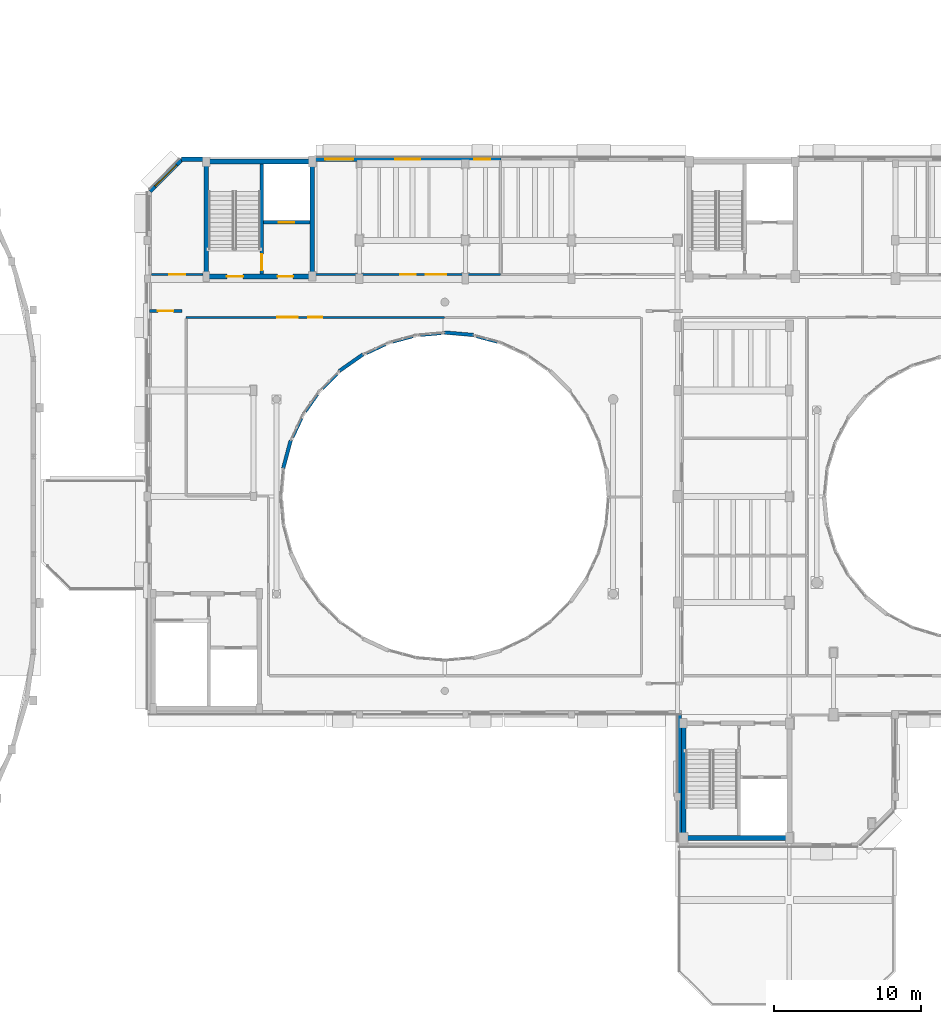
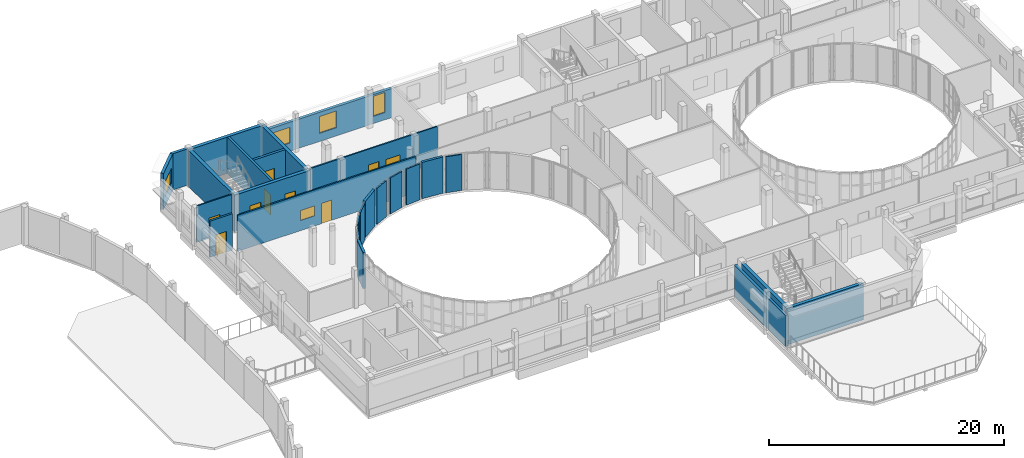
# One storey, part 67 of 89: 26 walls, 8 doors, 6 windows, 14 openings.
"""IFC4 building model written with IfcOpenShell, lengths in metres."""

import ifcopenshell
import ifcopenshell.guid

model = None  # the IFC model being written
_history = None  # IfcOwnerHistory: only IFC2X3 demands one
_inside = {}  # id of a spatial element -> (the spatial element, [elements in it])
_under = {}  # id of a project, library or spatial element -> (it, [spatial elements below it])
_declared = {}  # id of a project -> (the project, [libraries it declares])
_typed = {}  # id of a type object -> (the type object, [elements of that type])
_made_of = {}  # id of a material, layer set ... -> (it, [elements and type objects made of it])


def new_model(schema):
    """Start an empty IFC model of exactly this schema.

    Asked for "IFC4X3", IfcOpenShell would pick the latest addendum, in which some entities
    have other attributes; the version numbers below select the first issue.
    IFC2X3 requires an IfcOwnerHistory on every rooted entity: one is made here for all.
    """
    global model, _history
    if schema == "IFC4X3":
        model = ifcopenshell.file(schema_version=(4, 3, 0, 0))
    else:
        model = ifcopenshell.file(schema=schema)
    _inside.clear()
    _under.clear()
    _declared.clear()
    _typed.clear()
    _made_of.clear()
    _history = None
    if model.schema == "IFC2X3":
        org = make("IfcOrganization", Name="unknown")
        user = make(
            "IfcPersonAndOrganization",
            ThePerson=make("IfcPerson", FamilyName="unknown"),
            TheOrganization=org,
        )
        app = make(
            "IfcApplication",
            ApplicationDeveloper=org,
            Version="unknown",
            ApplicationFullName="unknown",
            ApplicationIdentifier="unknown",
        )
        _history = make(
            "IfcOwnerHistory",
            OwningUser=user,
            OwningApplication=app,
            ChangeAction="ADDED",
            CreationDate=0,
        )
    return model


def make(cls, **values):
    """One entity of the class cls with the attributes given. An attribute that is None is left unset."""
    return model.create_entity(
        cls, **{name: value for name, value in values.items() if value is not None}
    )


def rooted(cls, **values):
    """An entity with a GlobalId (a new one), such as an element, a storey or a relation."""
    return make(cls, GlobalId=ifcopenshell.guid.new(), OwnerHistory=_history, **values)


def si_unit(unit_type, name, prefix=None):
    """IfcSIUnit, for example si_unit("LENGTHUNIT", "METRE", prefix="MILLI")."""
    return make("IfcSIUnit", UnitType=unit_type, Prefix=prefix, Name=name)


def assignment(units):
    """IfcUnitAssignment: the units of a project."""
    return None if units is None else make("IfcUnitAssignment", Units=units)


def point(xyz):
    """IfcCartesianPoint."""
    return None if xyz is None else make("IfcCartesianPoint", Coordinates=xyz)


def direction(xyz):
    """IfcDirection."""
    return None if xyz is None else make("IfcDirection", DirectionRatios=xyz)


def frame(location, z_axis=None, x_axis=None):
    """IfcAxis2Placement3D, a coordinate frame: its origin and axes. An axis left out is left unset."""
    return make(
        "IfcAxis2Placement3D",
        Location=point(location),
        Axis=direction(z_axis),
        RefDirection=direction(x_axis),
    )


def frame_2d(location, x_axis=None):
    """IfcAxis2Placement2D, a coordinate frame in the plane: its origin and x axis."""
    return make(
        "IfcAxis2Placement2D", Location=point(location), RefDirection=direction(x_axis)
    )


def origin():
    """The frame at (0, 0, 0) with its axes left unset."""
    return frame((0.0, 0.0, 0.0))


def place(relative_to, where):
    """IfcLocalPlacement: puts the frame where relative to a parent placement (None: the world)."""
    return make(
        "IfcLocalPlacement", PlacementRelTo=relative_to, RelativePlacement=where
    )


def context(
    kind, dimensions, precision=None, world=None, true_north=None, identifier=None
):
    """IfcGeometricRepresentationContext, for example the 3D "Model" context."""
    return make(
        "IfcGeometricRepresentationContext",
        ContextIdentifier=identifier,
        ContextType=kind,
        CoordinateSpaceDimension=dimensions,
        Precision=precision,
        WorldCoordinateSystem=world,
        TrueNorth=true_north,
    )


def subcontext(parent, identifier, kind, view, scale=None):
    """IfcGeometricRepresentationSubContext, for example "Body" below "Model"."""
    return make(
        "IfcGeometricRepresentationSubContext",
        ContextIdentifier=identifier,
        ContextType=kind,
        ParentContext=parent,
        TargetScale=scale,
        TargetView=view,
    )


def project(units=None, contexts=None):
    """IfcProject with its units and contexts."""
    return rooted(
        "IfcProject",
        Name="project",
        RepresentationContexts=contexts,
        UnitsInContext=assignment(units),
    )


def spatial(cls, under=None, at=None, **own):
    """A site, building, storey or space (cls), placed at a placement, below another one or the project."""
    s = rooted(cls, ObjectPlacement=at, **own)
    if under is not None:
        _under.setdefault(under.id(), (under, []))[1].append(s)
    return s


def profile(cls, at=None, kind="AREA", **sizes):
    """A parametric profile (cls). Its sizes go by their IFC names, for example OverallWidth=200.0."""
    return make(cls, ProfileType=kind, Position=at, **sizes)


def rectangle(**sizes):
    """IfcRectangleProfileDef."""
    return profile("IfcRectangleProfileDef", **sizes)


def extrude(swept, where, along, depth):
    """IfcExtrudedAreaSolid: the profile swept, set in the frame where, extruded along a direction by depth."""
    return make(
        "IfcExtrudedAreaSolid",
        SweptArea=swept,
        Position=where,
        ExtrudedDirection=direction(along),
        Depth=depth,
    )


def shape(context_of_items, identifier, shape_type, items):
    """IfcShapeRepresentation: the items that make up one representation, for example the "Body"."""
    return make(
        "IfcShapeRepresentation",
        ContextOfItems=context_of_items,
        RepresentationIdentifier=identifier,
        RepresentationType=shape_type,
        Items=items,
    )


def material(Name=None, Category=None):
    """IfcMaterial."""
    return make("IfcMaterial", Name=Name, Category=Category)


def layer(
    of_material, thickness, ventilated=None, Name=None, Category=None, Priority=None
):
    """IfcMaterialLayer: one layer of a wall or slab, of a material (None: an air gap)."""
    return make(
        "IfcMaterialLayer",
        Material=of_material,
        LayerThickness=thickness,
        IsVentilated=ventilated,
        Name=Name,
        Category=Category,
        Priority=Priority,
    )


def layer_set(layers, Name=None):
    """IfcMaterialLayerSet."""
    return make("IfcMaterialLayerSet", MaterialLayers=layers, LayerSetName=Name)


def made_of(thing, what):
    """Note that an element or type object is made of a material, layer set ...; save() writes the relation."""
    if what is not None:
        _made_of.setdefault(what.id(), (what, []))[1].append(thing)
    return thing


def type_object(cls, material=None, **own):
    """A type object (cls), such as IfcWallType, which elements share."""
    return made_of(rooted(cls, **own), material)


def element(
    cls,
    number,
    at=None,
    inside=None,
    cuts=None,
    type_object=None,
    material=None,
    context=None,
    identifier="Body",
    shape_type=None,
    held_by="IfcProductDefinitionShape",
    body=None,
    shapes=None,
    **own,
):
    """One element of the class cls, such as IfcWall. Its Tag is "e" and its number.

    at: its placement. inside: the storey or other place that contains it. cuts: it is an
    opening in that element (IfcRelVoidsElement). A single representation is given by context,
    identifier, shape_type and body (its items); several are given by shapes. held_by: the class
    of the entity that holds the representations. save() writes the other relations.
    """
    e = rooted(cls, Tag="e%d" % number, ObjectPlacement=at, **own)
    if body is not None:
        shapes = [shape(context, identifier, shape_type, body)]
    if shapes is not None:
        e.Representation = make(held_by, Representations=shapes)
    if inside is not None:
        _inside.setdefault(inside.id(), (inside, []))[1].append(e)
    if cuts is not None:
        rooted(
            "IfcRelVoidsElement", RelatingBuildingElement=cuts, RelatedOpeningElement=e
        )
    if type_object is not None:
        _typed.setdefault(type_object.id(), (type_object, []))[1].append(e)
    return made_of(e, material)


def fill(opening, filler):
    """IfcRelFillsElement: the door or window that sits in an opening."""
    return rooted(
        "IfcRelFillsElement",
        RelatingOpeningElement=opening,
        RelatedBuildingElement=filler,
    )


def aggregate(whole, parts):
    """IfcRelAggregates: a whole, such as a stair, and the parts it consists of."""
    return rooted("IfcRelAggregates", RelatingObject=whole, RelatedObjects=parts)


def save(model, path):
    """Write the relations noted so far, then the file.

    IfcRelAggregates (storeys below a building ...), IfcRelContainedInSpatialStructure (elements
    in a storey), IfcRelDefinesByType, IfcRelAssociatesMaterial and IfcRelDeclares: one each for
    every whole, place, type object, material and project.
    """
    for whole, parts in _under.values():
        aggregate(whole, parts)
    for where, things in _inside.values():
        rooted(
            "IfcRelContainedInSpatialStructure",
            RelatedElements=things,
            RelatingStructure=where,
        )
    for kind, things in _typed.values():
        rooted("IfcRelDefinesByType", RelatedObjects=things, RelatingType=kind)
    for what, things in _made_of.values():
        rooted("IfcRelAssociatesMaterial", RelatedObjects=things, RelatingMaterial=what)
    for by, libraries in _declared.values():
        rooted("IfcRelDeclares", RelatingContext=by, RelatedDefinitions=libraries)
    model.write(path)


model = new_model("IFC4")

# Units and contexts
model_context = context("Model", 3, precision=1e-05, world=origin(), true_north=direction((0.0, 1.0)))
body_context = subcontext(model_context, "Body", "Model", "MODEL_VIEW")
ifc_project = project(units=[si_unit("LENGTHUNIT", "METRE"), si_unit("AREAUNIT", "SQUARE_METRE"), si_unit("VOLUMEUNIT", "CUBIC_METRE"), si_unit("PLANEANGLEUNIT", "RADIAN"), si_unit("MASSUNIT", "GRAM", prefix="KILO")], contexts=[model_context])

# Site, building, storey
site_placement = place(None, origin())
site = spatial("IfcSite", under=ifc_project, at=site_placement, CompositionType="ELEMENT")
building_placement = place(site_placement, origin())
building = spatial("IfcBuilding", under=site, at=building_placement, Name="Kelanivale Promenade Academy", CompositionType="ELEMENT")
storey_placement = place(building_placement, frame((0.0, 0.0, 12.199951171875)))
storey = spatial("IfcBuildingStorey", under=building, at=storey_placement, Name="L03", CompositionType="ELEMENT", Elevation=12.199951171875)

# Walls
ifc_material_1 = material(Name="Concrete C40/50", Category="concrete")
ifc_layer_1 = layer(ifc_material_1, 0.330078125)
ifc_layer_set_1 = layer_set([ifc_layer_1], Name="Concrete C40/50")
wall_type_1 = type_object("IfcWallType", Name="CW-S1 Wall 330mm", PredefinedType="SHEAR", material=ifc_layer_set_1)
wall_1_placement = place(storey_placement, frame((79.43505859375, 33.60009765625, 0.0), z_axis=(0.0, 0.0, 1.0), x_axis=(1.0, 0.0, 0.0)))
element("IfcWall", 1, at=wall_1_placement, inside=storey, type_object=wall_type_1, Name="CORE-1 RC shear wall S L03", PredefinedType="SHEAR", context=body_context, shape_type="SweptSolid", body=[
    extrude(rectangle(XDim=7.530029296875, YDim=0.330078125, at=frame_2d((3.76513671875, 0.0))), origin(), (0.0, 0.0, 1.0), 3.780029296875),
])
wall_2_placement = place(storey_placement, frame((79.60009765625, 33.764892578125, 0.0), z_axis=(0.0, 0.0, 1.0), x_axis=(0.0, 1.0, 0.0)))
element("IfcWall", 2, at=wall_2_placement, inside=storey, type_object=wall_type_1, Name="CORE-1 RC shear wall W L03", PredefinedType="SHEAR", context=body_context, shape_type="SweptSolid", body=[
    extrude(rectangle(XDim=7.47021484375, YDim=0.330078125, at=frame_2d((3.735107421875, 0.0))), origin(), (0.0, 0.0, 1.0), 3.780029296875),
])

# Wall, openings, doors
wall_3_placement = place(storey_placement, frame((47.034912109375, 71.75, 0.0), z_axis=(0.0, 0.0, 1.0), x_axis=(1.0, 0.0, 0.0)))
wall_3 = element("IfcWall", 3, at=wall_3_placement, inside=storey, type_object=wall_type_1, Name="CORE-4 RC shear wall S L03", PredefinedType="SHEAR", context=body_context, shape_type="SweptSolid", body=[
    extrude(rectangle(XDim=7.530029296875, YDim=0.330078125, at=frame_2d((3.76513671875, 0.0))), origin(), (0.0, 0.0, 1.0), 3.780029296875),
])
opening_1_placement = place(wall_3_placement, frame((5.014892578125, 0.0, 0.0)))
opening_1 = element("IfcOpeningElement", 4, at=opening_1_placement, cuts=wall_3, Name="Opening FD-CORE-4-LB-L03", PredefinedType="OPENING", context=body_context, shape_type="SweptSolid", body=[
    extrude(rectangle(XDim=1.050048828125, YDim=2.14990234375, at=frame_2d((0.52490234375, 1.074951171875))), frame((0.0, 0.175048828125, 0.0), z_axis=(0.0, -1.0, 0.0), x_axis=(1.0, 0.0, 0.0)), (0.0, 0.0, 1.0), 0.35009765625),
])
opening_2_placement = place(wall_3_placement, frame((1.56494140625, 0.0, 0.0)))
opening_2 = element("IfcOpeningElement", 5, at=opening_2_placement, cuts=wall_3, Name="Opening FD-CORE-4-ST-L03", PredefinedType="OPENING", context=body_context, shape_type="SweptSolid", body=[
    extrude(rectangle(XDim=1.10009765625, YDim=2.14990234375, at=frame_2d((0.550048828125, 1.074951171875))), frame((0.0, 0.175048828125, 0.0), z_axis=(0.0, -1.0, 0.0), x_axis=(1.0, 0.0, 0.0)), (0.0, 0.0, 1.0), 0.35009765625),
])
ifc_material_2 = material(Name="Fire-rated steel-core teak veneer", Category="steel")
door_type_1 = type_object("IfcDoorType", Name="DT-F01 Door 1100x2150", OperationType="NOTDEFINED", PredefinedType="DOOR", material=ifc_material_2)
door_1_placement = place(opening_2_placement, frame((1.10009765625, 0.0, 0.0), z_axis=(0.0, 0.0, 1.0), x_axis=(-1.0, 0.0, 0.0)))
door_1 = element("IfcDoor", 6, at=door_1_placement, inside=storey, type_object=door_type_1, Name="CORE-4 protected stair fire door L03", OperationType="SINGLE_SWING_RIGHT", OverallHeight=2.14990234375, OverallWidth=1.10009765625, PredefinedType="DOOR", context=body_context, shape_type="SweptSolid", body=[
    extrude(rectangle(XDim=1.10009765625, YDim=2.14990234375, at=frame_2d((0.550048828125, 1.074951171875))), frame((0.0, 0.02490234375, 0.0), z_axis=(0.0, -1.0, 0.0), x_axis=(1.0, 0.0, 0.0)), (0.0, 0.0, 1.0), 0.050048828125),
])
fill(opening_2, door_1)
door_type_2 = type_object("IfcDoorType", Name="DT-F03 Door 1050x2150", OperationType="NOTDEFINED", PredefinedType="DOOR", material=ifc_material_2)
door_2_placement = place(opening_1_placement, origin())
door_2 = element("IfcDoor", 7, at=door_2_placement, inside=storey, type_object=door_type_2, Name="CORE-4 corridor-to-lobby fire door L03", OperationType="SINGLE_SWING_LEFT", OverallHeight=2.14990234375, OverallWidth=1.050048828125, PredefinedType="DOOR", context=body_context, shape_type="SweptSolid", body=[
    extrude(rectangle(XDim=1.050048828125, YDim=2.14990234375, at=frame_2d((0.52490234375, 1.074951171875))), frame((0.0, 0.02490234375, 0.0), z_axis=(0.0, -1.0, 0.0), x_axis=(1.0, 0.0, 0.0)), (0.0, 0.0, 1.0), 0.050048828125),
])
fill(opening_1, door_2)

# Walls
wall_4_placement = place(storey_placement, frame((47.034912109375, 79.550048828125, 0.0), z_axis=(0.0, 0.0, 1.0), x_axis=(1.0, 0.0, 0.0)))
element("IfcWall", 8, at=wall_4_placement, inside=storey, type_object=wall_type_1, Name="CORE-4 RC shear wall N L03", PredefinedType="SHEAR", context=body_context, shape_type="SweptSolid", body=[
    extrude(rectangle(XDim=7.530029296875, YDim=0.330078125, at=frame_2d((3.76513671875, 0.0))), origin(), (0.0, 0.0, 1.0), 3.780029296875),
])
for number, where, z_axis, x_axis, name in (
    (9, (47.199951171875, 71.9150390625, 0.0), (0.0, 0.0, 1.0), (0.0, 1.0, 0.0), "CORE-4 RC shear wall W L03"),
    (10, (54.39990234375, 71.9150390625, 0.0), (0.0, 0.0, 1.0), (0.0, 1.0, 0.0), "CORE-4 RC shear wall E L03"),
):
    element("IfcWall", number, at=place(storey_placement, frame(where, z_axis=z_axis, x_axis=x_axis)), inside=storey, type_object=wall_type_1, Name=name, PredefinedType="SHEAR", context=body_context, shape_type="SweptSolid", body=[
        extrude(rectangle(XDim=7.469970703125, YDim=0.330078125, at=frame_2d((3.73486328125, 0.0))), origin(), (0.0, 0.0, 1.0), 3.780029296875),
    ])

# Wall, opening, door
ifc_layer_2 = layer(ifc_material_1, 0.22509765625)
ifc_layer_set_2 = layer_set([ifc_layer_2], Name="Concrete C40/50")
wall_type_2 = type_object("IfcWallType", Name="CW-S2 Wall 225mm", PredefinedType="SHEAR", material=ifc_layer_set_2)
wall_5_placement = place(storey_placement, frame((51.0849609375, 75.419921875, 0.0), z_axis=(0.0, 0.0, 1.0), x_axis=(1.0, 0.0, 0.0)))
wall_5 = element("IfcWall", 11, at=wall_5_placement, inside=storey, type_object=wall_type_2, Name="CORE-4 lift shaft front RC wall L03", PredefinedType="SHEAR", context=body_context, shape_type="SweptSolid", body=[
    extrude(rectangle(XDim=3.150146484375, YDim=0.22509765625, at=frame_2d((1.5751953125, 0.0))), origin(), (0.0, 0.0, 1.0), 3.780029296875),
])
opening_3_placement = place(wall_5_placement, frame((1.050048828125, 0.0, 0.0)))
opening_3 = element("IfcOpeningElement", 12, at=opening_3_placement, cuts=wall_5, Name="Opening LD-LF-P2-L03", PredefinedType="OPENING", context=body_context, shape_type="SweptSolid", body=[
    extrude(rectangle(XDim=1.050048828125, YDim=2.199951171875, at=frame_2d((0.52490234375, 1.10009765625))), frame((0.0, 0.12255859375, 0.0), z_axis=(0.0, -1.0, 0.0), x_axis=(1.0, 0.0, 0.0)), (0.0, 0.0, 1.0), 0.2451171875),
])
door_type_3 = type_object("IfcDoorType", Name="LD-PL1 Door 1050x2200", OperationType="NOTDEFINED", PredefinedType="DOOR", material=ifc_material_2)
door_3_placement = place(opening_3_placement, origin())
door_3 = element("IfcDoor", 13, at=door_3_placement, inside=storey, type_object=door_type_3, Name="Passenger lift landing door LD-LF-P2-L03", OperationType="SLIDING_TO_LEFT", OverallHeight=2.199951171875, OverallWidth=1.050048828125, PredefinedType="DOOR", context=body_context, shape_type="SweptSolid", body=[
    extrude(rectangle(XDim=1.050048828125, YDim=2.199951171875, at=frame_2d((0.52490234375, 1.10009765625))), frame((0.0, 0.02490234375, 0.0), z_axis=(0.0, -1.0, 0.0), x_axis=(1.0, 0.0, 0.0)), (0.0, 0.0, 1.0), 0.050048828125),
])
fill(opening_3, door_3)

ifc_layer_3 = layer(ifc_material_1, 0.219970703125)
ifc_layer_set_3 = layer_set([ifc_layer_3], Name="Concrete C40/50")
wall_type_3 = type_object("IfcWallType", Name="CW-S3 Wall 220mm", PredefinedType="SHEAR", material=ifc_layer_set_3)
wall_6_placement = place(storey_placement, frame((50.97509765625, 71.9150390625, 0.0), z_axis=(0.0, 0.0, 1.0), x_axis=(0.0, 1.0, 0.0)))
wall_6 = element("IfcWall", 14, at=wall_6_placement, inside=storey, type_object=wall_type_3, Name="CORE-4 stair-lobby dividing RC wall L03", PredefinedType="SHEAR", context=body_context, shape_type="SweptSolid", body=[
    extrude(rectangle(XDim=7.469970703125, YDim=0.219970703125, at=frame_2d((3.73486328125, 0.0))), origin(), (0.0, 0.0, 1.0), 3.780029296875),
])
opening_4_placement = place(wall_6_placement, frame((0.25, 0.0, 0.0)))
opening_4 = element("IfcOpeningElement", 15, at=opening_4_placement, cuts=wall_6, Name="Opening FD-CORE-4-SL-L03", PredefinedType="OPENING", context=body_context, shape_type="SweptSolid", body=[
    extrude(rectangle(XDim=1.10009765625, YDim=2.14990234375, at=frame_2d((0.550048828125, 1.074951171875))), frame((0.0, 0.1201171875, 0.0), z_axis=(0.0, -1.0, 0.0), x_axis=(1.0, 0.0, 0.0)), (0.0, 0.0, 1.0), 0.239990234375),
])
door_4_placement = place(opening_4_placement, origin())
door_4 = element("IfcDoor", 16, at=door_4_placement, inside=storey, type_object=door_type_1, Name="CORE-4 lobby-to-stair fire door L03", OperationType="SINGLE_SWING_RIGHT", OverallHeight=2.14990234375, OverallWidth=1.10009765625, PredefinedType="DOOR", context=body_context, shape_type="SweptSolid", body=[
    extrude(rectangle(XDim=1.10009765625, YDim=2.14990234375, at=frame_2d((0.550048828125, 1.074951171875))), frame((0.0, 0.02490234375, 0.0), z_axis=(0.0, -1.0, 0.0), x_axis=(1.0, 0.0, 0.0)), (0.0, 0.0, 1.0), 0.050048828125),
])
fill(opening_4, door_4)

# Wall, openings, windows
ifc_material_3 = material(Name="Insulated ivory stucco masonry wall 280 mm", Category="masonry")
ifc_layer_4 = layer(ifc_material_3, 0.280029296875)
ifc_layer_set_4 = layer_set([ifc_layer_4], Name="Insulated ivory stucco masonry wall 280 mm")
wall_type_4 = type_object("IfcWallType", Name="EW-02 Wall 280mm", PredefinedType="SOLIDWALL", material=ifc_layer_set_4)
wall_7_placement = place(storey_placement, frame((67.199951171875, 79.7099609375, 0.0), z_axis=(0.0, 0.0, 1.0), x_axis=(-1.0, 0.0, 0.0)))
wall_7 = element("IfcWall", 17, at=wall_7_placement, inside=storey, type_object=wall_type_4, Name="L03 exterior facade wall EW-L03-ORT-0489", PredefinedType="SOLIDWALL", context=body_context, shape_type="SweptSolid", body=[
    extrude(rectangle(XDim=12.635009765625, YDim=0.280029296875, at=frame_2d((6.3173828125, 0.0))), origin(), (0.0, 0.0, 1.0), 3.025146484375),
])
opening_5_placement = place(wall_7_placement, frame((0.7060546875, 0.0, 0.75)))
opening_5 = element("IfcOpeningElement", 18, at=opening_5_placement, cuts=wall_7, Name="Opening WT-17", PredefinedType="OPENING", context=body_context, shape_type="SweptSolid", body=[
    extrude(rectangle(XDim=1.10009765625, YDim=2.10009765625, at=frame_2d((0.550048828125, 1.050048828125))), frame((0.0, 0.14990234375, 0.0), z_axis=(0.0, -1.0, 0.0), x_axis=(1.0, 0.0, 0.0)), (0.0, 0.0, 1.0), 0.300048828125),
])
opening_6_placement = place(wall_7_placement, frame((5.468017578125, 0.0, 0.85009765625)))
opening_6 = element("IfcOpeningElement", 19, at=opening_6_placement, cuts=wall_7, Name="Opening WT-25", PredefinedType="OPENING", context=body_context, shape_type="SweptSolid", body=[
    extrude(rectangle(XDim=1.699951171875, YDim=1.75, at=frame_2d((0.85009765625, 0.875))), frame((0.0, 0.14990234375, 0.0), z_axis=(0.0, -1.0, 0.0), x_axis=(1.0, 0.0, 0.0)), (0.0, 0.0, 1.0), 0.300048828125),
])
opening_7_placement = place(wall_7_placement, frame((10.029052734375, 0.0, 0.85009765625)))
opening_7 = element("IfcOpeningElement", 20, at=opening_7_placement, cuts=wall_7, Name="Opening WT-26", PredefinedType="OPENING", context=body_context, shape_type="SweptSolid", body=[
    extrude(rectangle(XDim=1.89990234375, YDim=1.64990234375, at=frame_2d((0.949951171875, 0.824951171875))), frame((0.0, 0.14990234375, 0.0), z_axis=(0.0, -1.0, 0.0), x_axis=(1.0, 0.0, 0.0)), (0.0, 0.0, 1.0), 0.300048828125),
])
ifc_material_4 = material(Name="Bronze anodised aluminium frame with low-E laminated glass", Category="aluminium")
window_type_1 = type_object("IfcWindowType", Name="WT-17 Window 1100x2100", PartitioningType="SINGLE_PANEL", PredefinedType="WINDOW", material=ifc_material_4)
window_1_placement = place(opening_5_placement, origin())
window_1 = element("IfcWindow", 21, at=window_1_placement, inside=storey, type_object=window_type_1, Name="Window WT-17", OverallHeight=2.10009765625, OverallWidth=1.10009765625, PartitioningType="SINGLE_PANEL", PredefinedType="WINDOW", context=body_context, shape_type="SweptSolid", body=[
    extrude(rectangle(XDim=1.10009765625, YDim=2.10009765625, at=frame_2d((0.550048828125, 1.050048828125))), frame((0.0, 0.030029296875, 0.0), z_axis=(0.0, -1.0, 0.0), x_axis=(1.0, 0.0, 0.0)), (0.0, 0.0, 1.0), 0.06005859375),
])
fill(opening_5, window_1)
window_type_2 = type_object("IfcWindowType", Name="WT-25 Window 1700x1750", PartitioningType="SINGLE_PANEL", PredefinedType="WINDOW", material=ifc_material_4)
window_2_placement = place(opening_6_placement, origin())
window_2 = element("IfcWindow", 22, at=window_2_placement, inside=storey, type_object=window_type_2, Name="Window WT-25", OverallHeight=1.75, OverallWidth=1.699951171875, PartitioningType="SINGLE_PANEL", PredefinedType="WINDOW", context=body_context, shape_type="SweptSolid", body=[
    extrude(rectangle(XDim=1.699951171875, YDim=1.75, at=frame_2d((0.85009765625, 0.875))), frame((0.0, 0.030029296875, 0.0), z_axis=(0.0, -1.0, 0.0), x_axis=(1.0, 0.0, 0.0)), (0.0, 0.0, 1.0), 0.06005859375),
])
fill(opening_6, window_2)
window_type_3 = type_object("IfcWindowType", Name="WT-26 Window 1900x1650", PartitioningType="SINGLE_PANEL", PredefinedType="WINDOW", material=ifc_material_4)
window_3_placement = place(opening_7_placement, origin())
window_3 = element("IfcWindow", 23, at=window_3_placement, inside=storey, type_object=window_type_3, Name="Window WT-26", OverallHeight=1.64990234375, OverallWidth=1.89990234375, PartitioningType="SINGLE_PANEL", PredefinedType="WINDOW", context=body_context, shape_type="SweptSolid", body=[
    extrude(rectangle(XDim=1.89990234375, YDim=1.64990234375, at=frame_2d((0.949951171875, 0.824951171875))), frame((0.0, 0.030029296875, 0.0), z_axis=(0.0, -1.0, 0.0), x_axis=(1.0, 0.0, 0.0)), (0.0, 0.0, 1.0), 0.06005859375),
])
fill(opening_7, window_3)

# Wall
wall_8_placement = place(storey_placement, frame((47.034912109375, 79.7099609375, 0.0), z_axis=(0.0, 0.0, 1.0), x_axis=(-1.0, 0.0, 0.0)))
element("IfcWall", 24, at=wall_8_placement, inside=storey, type_object=wall_type_4, Name="L03 exterior facade wall EW-L03-ORT-0490", PredefinedType="SOLIDWALL", context=body_context, shape_type="SweptSolid", body=[
    extrude(rectangle(XDim=1.52294921875, YDim=0.280029296875, at=frame_2d((0.761474609375, 0.0))), origin(), (0.0, 0.0, 1.0), 3.780029296875),
])

# Wall, opening, window
wall_9_placement = place(storey_placement, frame((45.52392578125, 79.666015625, 0.0), z_axis=(0.0, 0.0, 1.0), x_axis=(-0.707066445384, -0.707147114688, 0.0)))
wall_9 = element("IfcWall", 25, at=wall_9_placement, inside=storey, type_object=wall_type_4, Name="L03 exterior facade wall EW-L03-ORT-0491", PredefinedType="SOLIDWALL", context=body_context, shape_type="SweptSolid", body=[
    extrude(rectangle(XDim=3.0263671875, YDim=0.280029296875, at=frame_2d((1.51318359375, 0.0))), origin(), (0.0, 0.0, 1.0), 3.780029296875),
])
opening_8_placement = place(wall_9_placement, frame((0.488037109375, 0.0, 1.050048828125)))
opening_8 = element("IfcOpeningElement", 26, at=opening_8_placement, cuts=wall_9, Name="Opening WT-27", PredefinedType="OPENING", context=body_context, shape_type="SweptSolid", body=[
    extrude(rectangle(XDim=2.050048828125, YDim=1.550048828125, at=frame_2d((1.02490234375, 0.77490234375))), frame((0.0, 0.14990234375, 0.0), z_axis=(0.0, -1.0, 0.0), x_axis=(1.0, 0.0, 0.0)), (0.0, 0.0, 1.0), 0.300048828125),
])
window_type_4 = type_object("IfcWindowType", Name="WT-27 Window 2050x1550", PartitioningType="SINGLE_PANEL", PredefinedType="WINDOW", material=ifc_material_4)
window_4_placement = place(opening_8_placement, origin())
window_4 = element("IfcWindow", 27, at=window_4_placement, inside=storey, type_object=window_type_4, Name="Window WT-27", OverallHeight=1.550048828125, OverallWidth=2.050048828125, PartitioningType="SINGLE_PANEL", PredefinedType="WINDOW", context=body_context, shape_type="SweptSolid", body=[
    extrude(rectangle(XDim=2.050048828125, YDim=1.550048828125, at=frame_2d((1.02490234375, 0.77490234375))), frame((0.0, 0.030029296875, 0.0), z_axis=(0.0, -1.0, 0.0), x_axis=(1.0, 0.0, 0.0)), (0.0, 0.0, 1.0), 0.06005859375),
])
fill(opening_8, window_4)

# Walls
wall_10_placement = place(storey_placement, frame((79.340087890625, 42.0, 0.0), z_axis=(0.0, 0.0, 1.0), x_axis=(0.0, -1.0, 0.0)))
element("IfcWall", 28, at=wall_10_placement, inside=storey, type_object=wall_type_4, Name="L03 exterior facade wall EW-L03-ORT-0497", PredefinedType="SOLIDWALL", context=body_context, shape_type="SweptSolid", body=[
    extrude(rectangle(XDim=8.719970703125, YDim=0.280029296875, at=frame_2d((4.35986328125, 0.0))), origin(), (0.0, 0.0, 1.0), 3.22509765625),
])
ifc_material_5 = material(Name="Insulated courtyard stucco masonry wall 240 mm", Category="masonry")
ifc_layer_5 = layer(ifc_material_5, 0.239990234375)
ifc_layer_set_5 = layer_set([ifc_layer_5], Name="Insulated courtyard stucco masonry wall 240 mm")
wall_type_5 = type_object("IfcWallType", Name="EW-04 Wall 240mm", PredefinedType="SOLIDWALL", material=ifc_layer_set_5)
wall_11_placement = place(storey_placement, frame((65.346923828125, 67.77001953125, 0.0), z_axis=(0.0, 0.0, 1.0), x_axis=(-0.996220072154, 0.086865228015, 0.0)))
element("IfcWall", 29, at=wall_11_placement, inside=storey, type_object=wall_type_5, Name="L03 round courtyard stucco wall", PredefinedType="SOLIDWALL", context=body_context, shape_type="SweptSolid", body=[
    extrude(rectangle(XDim=1.96728515625, YDim=0.239990234375, at=frame_2d((0.983642578125, 0.0))), origin(), (0.0, 0.0, 1.0), 3.780029296875),
])
for number, where, z_axis, x_axis, name in (
    (30, (57.840087890625, 66.455078125, 0.0), (0.0, 0.0, 1.0), (-0.819132771028, -0.573603960436, 0.0), "L03 round courtyard stucco wall"),
    (31, (52.93408203125, 60.6220703125, 0.0), (0.0, 0.0, 1.0), (-0.258303819724, -0.966063733258, 0.0), "L03 round courtyard stucco wall"),
):
    element("IfcWall", number, at=place(storey_placement, frame(where, z_axis=z_axis, x_axis=x_axis)), inside=storey, type_object=wall_type_5, Name=name, PredefinedType="SOLIDWALL", context=body_context, shape_type="SweptSolid", body=[
        extrude(rectangle(XDim=1.966796875, YDim=0.239990234375, at=frame_2d((0.9833984375, 0.0))), origin(), (0.0, 0.0, 1.0), 3.780029296875),
    ])

# Wall, opening, door
ifc_material_6 = material(Name="Autoclaved masonry blockwork 180 mm", Category="masonry")
ifc_layer_6 = layer(ifc_material_6, 0.179931640625)
ifc_layer_set_6 = layer_set([ifc_layer_6], Name="Autoclaved masonry blockwork 180 mm")
wall_type_6 = type_object("IfcWallType", Name="IW-02 Wall 180mm", PredefinedType="PARTITIONING", material=ifc_layer_set_6)
wall_12_placement = place(storey_placement, frame((43.341064453125, 69.39990234375, 0.0), z_axis=(0.0, 0.0, 1.0), x_axis=(1.0, 0.0, 0.0)))
wall_12 = element("IfcWall", 32, at=wall_12_placement, inside=storey, type_object=wall_type_6, Name="L03 cross-corridor fire wall", PredefinedType="PARTITIONING", context=body_context, shape_type="SweptSolid", body=[
    extrude(rectangle(XDim=2.208984375, YDim=0.179931640625, at=frame_2d((1.1044921875, 0.0))), origin(), (0.0, 0.0, 1.0), 3.780029296875),
])
opening_9_placement = place(wall_12_placement, frame((0.5791015625, 0.0, 0.0)))
opening_9 = element("IfcOpeningElement", 33, at=opening_9_placement, cuts=wall_12, Name="Opening FD-L03-CC-146", PredefinedType="OPENING", context=body_context, shape_type="SweptSolid", body=[
    extrude(rectangle(XDim=1.050048828125, YDim=2.14990234375, at=frame_2d((0.52490234375, 1.074951171875))), frame((0.0, 0.10009765625, 0.0), z_axis=(0.0, -1.0, 0.0), x_axis=(1.0, 0.0, 0.0)), (0.0, 0.0, 1.0), 0.199951171875),
])
door_5_placement = place(opening_9_placement, origin())
door_5 = element("IfcDoor", 34, at=door_5_placement, inside=storey, type_object=door_type_2, Name="L03 cross-corridor fire door FD-L03-CC-146", OperationType="SINGLE_SWING_RIGHT", OverallHeight=2.14990234375, OverallWidth=1.050048828125, PredefinedType="DOOR", context=body_context, shape_type="SweptSolid", body=[
    extrude(rectangle(XDim=1.050048828125, YDim=2.14990234375, at=frame_2d((0.52490234375, 1.074951171875))), frame((0.0, 0.02490234375, 0.0), z_axis=(0.0, -1.0, 0.0), x_axis=(1.0, 0.0, 0.0)), (0.0, 0.0, 1.0), 0.050048828125),
])
fill(opening_9, door_5)

# Wall
ifc_material_7 = material(Name="Acoustic double-stud gypsum board partition 140 mm", Category="masonry")
ifc_layer_7 = layer(ifc_material_7, 0.139892578125)
ifc_layer_set_7 = layer_set([ifc_layer_7], Name="Acoustic double-stud gypsum board partition 140 mm")
wall_type_7 = type_object("IfcWallType", Name="IW-04 Wall 140mm", PredefinedType="PARTITIONING", material=ifc_layer_set_7)
wall_13_placement = place(storey_placement, frame((61.735107421875, 67.72509765625, 0.0), z_axis=(0.0, 0.0, 1.0), x_axis=(0.99623071841, 0.086743044083, 0.0)))
element("IfcWall", 35, at=wall_13_placement, inside=storey, type_object=wall_type_7, Name="L03 partition Secondary Classroom West B", PredefinedType="PARTITIONING", context=body_context, shape_type="SweptSolid", body=[
    extrude(rectangle(XDim=1.393310546875, YDim=0.139892578125, at=frame_2d((0.69677734375, 0.0))), origin(), (0.0, 0.0, 1.0), 3.755126953125),
])

# Wall, openings, door, window
wall_14_placement = place(storey_placement, frame((63.3701171875, 68.969970703125, 0.0), z_axis=(0.0, 0.0, 1.0), x_axis=(-1.0, 0.0, 0.0)))
wall_14 = element("IfcWall", 36, at=wall_14_placement, inside=storey, type_object=wall_type_7, Name="L03 partition Secondary Classroom West B", PredefinedType="PARTITIONING", context=body_context, shape_type="SweptSolid", body=[
    extrude(rectangle(XDim=17.5400390625, YDim=0.139892578125, at=frame_2d((8.77001953125, 0.0))), origin(), (0.0, 0.0, 1.0), 3.755126953125),
])
opening_10_placement = place(wall_14_placement, frame((8.280029296875, 0.0, 0.0)))
opening_10 = element("IfcOpeningElement", 37, at=opening_10_placement, cuts=wall_14, Name="Opening ID-L03-154", PredefinedType="OPENING", context=body_context, shape_type="SweptSolid", body=[
    extrude(rectangle(XDim=0.97998046875, YDim=2.1201171875, at=frame_2d((0.489990234375, 1.06005859375))), frame((0.0, 0.080078125, 0.0), z_axis=(0.0, -1.0, 0.0), x_axis=(1.0, 0.0, 0.0)), (0.0, 0.0, 1.0), 0.159912109375),
])
opening_11_placement = place(wall_14_placement, frame((9.9599609375, 0.0, 1.050048828125)))
opening_11 = element("IfcOpeningElement", 38, at=opening_11_placement, cuts=wall_14, Name="Opening WT-I03", PredefinedType="OPENING", context=body_context, shape_type="SweptSolid", body=[
    extrude(rectangle(XDim=1.39990234375, YDim=1.050048828125, at=frame_2d((0.699951171875, 0.52490234375))), frame((0.0, 0.080078125, 0.0), z_axis=(0.0, -1.0, 0.0), x_axis=(1.0, 0.0, 0.0)), (0.0, 0.0, 1.0), 0.159912109375),
])
ifc_material_8 = material(Name="Solid-core tropical teak timber", Category="wood")
door_type_4 = type_object("IfcDoorType", Name="DT-I14 Door 980x2120", OperationType="NOTDEFINED", PredefinedType="DOOR", material=ifc_material_8)
door_6_placement = place(opening_10_placement, origin())
door_6 = element("IfcDoor", 39, at=door_6_placement, inside=storey, type_object=door_type_4, Name="Secondary Classroom West B door ID-L03-154", OperationType="SINGLE_SWING_LEFT", OverallHeight=2.1201171875, OverallWidth=0.97998046875, PredefinedType="DOOR", context=body_context, shape_type="SweptSolid", body=[
    extrude(rectangle(XDim=0.97998046875, YDim=2.1201171875, at=frame_2d((0.489990234375, 1.06005859375))), frame((0.0, 0.02490234375, 0.0), z_axis=(0.0, -1.0, 0.0), x_axis=(1.0, 0.0, 0.0)), (0.0, 0.0, 1.0), 0.050048828125),
])
fill(opening_10, door_6)
window_type_5 = type_object("IfcWindowType", Name="WT-I03 Window 1400x1050", PartitioningType="SINGLE_PANEL", PredefinedType="WINDOW", material=ifc_material_4)
window_5_placement = place(opening_11_placement, origin())
window_5 = element("IfcWindow", 40, at=window_5_placement, inside=storey, type_object=window_type_5, Name="Interior observation window WT-I03", OverallHeight=1.050048828125, OverallWidth=1.39990234375, PartitioningType="SINGLE_PANEL", PredefinedType="WINDOW", context=body_context, shape_type="SweptSolid", body=[
    extrude(rectangle(XDim=1.39990234375, YDim=1.050048828125, at=frame_2d((0.699951171875, 0.52490234375))), frame((0.0, 0.030029296875, 0.0), z_axis=(0.0, -1.0, 0.0), x_axis=(1.0, 0.0, 0.0)), (0.0, 0.0, 1.0), 0.06005859375),
])
fill(opening_11, window_5)

# Walls
wall_15_placement = place(storey_placement, frame((53.10595703125, 60.821044921875, 0.0), z_axis=(0.0, 0.0, 1.0), x_axis=(0.423348930736, 0.905966711775, 0.0)))
element("IfcWall", 41, at=wall_15_placement, inside=storey, type_object=wall_type_7, Name="L03 partition Secondary Classroom West B", PredefinedType="PARTITIONING", context=body_context, shape_type="SweptSolid", body=[
    extrude(rectangle(XDim=1.412841796875, YDim=0.139892578125, at=frame_2d((0.70654296875, 0.0))), origin(), (0.0, 0.0, 1.0), 3.755126953125),
])
wall_16_placement = place(storey_placement, frame((53.9609375, 62.547119140625, 0.0), z_axis=(0.0, 0.0, 1.0), x_axis=(0.57368253481, 0.819077743108, 0.0)))
element("IfcWall", 42, at=wall_16_placement, inside=storey, type_object=wall_type_7, Name="L03 partition Secondary Classroom West B", PredefinedType="PARTITIONING", context=body_context, shape_type="SweptSolid", body=[
    extrude(rectangle(XDim=1.413818359375, YDim=0.139892578125, at=frame_2d((0.70703125, 0.0))), origin(), (0.0, 0.0, 1.0), 3.755126953125),
])
wall_17_placement = place(storey_placement, frame((55.10302734375, 64.09912109375, 0.0), z_axis=(0.0, 0.0, 1.0), x_axis=(0.707193272138, 0.707020279655, 0.0)))
element("IfcWall", 43, at=wall_17_placement, inside=storey, type_object=wall_type_7, Name="L03 partition Secondary Classroom West B", PredefinedType="PARTITIONING", context=body_context, shape_type="SweptSolid", body=[
    extrude(rectangle(XDim=1.411376953125, YDim=0.139892578125, at=frame_2d((0.70556640625, 0.0))), origin(), (0.0, 0.0, 1.0), 3.755126953125),
])
wall_18_placement = place(storey_placement, frame((58.09912109375, 66.49609375, 0.0), z_axis=(0.0, 0.0, 1.0), x_axis=(0.906002021568, 0.423273359561, 0.0)))
element("IfcWall", 44, at=wall_18_placement, inside=storey, type_object=wall_type_7, Name="L03 partition Secondary Classroom West B", PredefinedType="PARTITIONING", context=body_context, shape_type="SweptSolid", body=[
    extrude(rectangle(XDim=1.41259765625, YDim=0.139892578125, at=frame_2d((0.706298828125, 0.0))), origin(), (0.0, 0.0, 1.0), 3.755126953125),
])
for number, where, z_axis, x_axis, name in (
    (45, (59.864013671875, 67.27001953125, 0.0), (0.0, 0.0, 1.0), (0.966013611766, 0.258491202719, 0.0), "L03 partition Secondary Classroom West B"),
    (46, (65.572021484375, 67.635009765625, 0.0), (0.0, 0.0, 1.0), (0.966013611766, -0.258491202719, 0.0), "L03 partition Ceramics Workshop Courtyard North"),
):
    element("IfcWall", number, at=place(storey_placement, frame(where, z_axis=z_axis, x_axis=x_axis)), inside=storey, type_object=wall_type_7, Name=name, PredefinedType="PARTITIONING", context=body_context, shape_type="SweptSolid", body=[
        extrude(rectangle(XDim=1.412109375, YDim=0.139892578125, at=frame_2d((0.7060546875, 0.0))), origin(), (0.0, 0.0, 1.0), 3.755126953125),
    ])

# Wall, openings, door, window
wall_19_placement = place(storey_placement, frame((54.6298828125, 71.8798828125, 0.0), z_axis=(0.0, 0.0, 1.0), x_axis=(1.0, 0.0, 0.0)))
wall_19 = element("IfcWall", 47, at=wall_19_placement, inside=storey, type_object=wall_type_7, Name="L03 partition Secondary Classroom North 1", PredefinedType="PARTITIONING", context=body_context, shape_type="SweptSolid", body=[
    extrude(rectangle(XDim=12.5400390625, YDim=0.139892578125, at=frame_2d((6.27001953125, 0.0))), origin(), (0.0, 0.0, 1.0), 3.775146484375),
])
opening_12_placement = place(wall_19_placement, frame((5.760009765625, 0.0, 0.0)))
opening_12 = element("IfcOpeningElement", 48, at=opening_12_placement, cuts=wall_19, Name="Opening ID-L03-166", PredefinedType="OPENING", context=body_context, shape_type="SweptSolid", body=[
    extrude(rectangle(XDim=1.02001953125, YDim=2.139892578125, at=frame_2d((0.510009765625, 1.06982421875))), frame((0.0, 0.080078125, 0.0), z_axis=(0.0, -1.0, 0.0), x_axis=(1.0, 0.0, 0.0)), (0.0, 0.0, 1.0), 0.159912109375),
])
opening_13_placement = place(wall_19_placement, frame((7.47998046875, 0.0, 1.050048828125)))
opening_13 = element("IfcOpeningElement", 49, at=opening_13_placement, cuts=wall_19, Name="Opening WT-I03", PredefinedType="OPENING", context=body_context, shape_type="SweptSolid", body=[
    extrude(rectangle(XDim=1.39990234375, YDim=1.050048828125, at=frame_2d((0.699951171875, 0.52490234375))), frame((0.0, 0.080078125, 0.0), z_axis=(0.0, -1.0, 0.0), x_axis=(1.0, 0.0, 0.0)), (0.0, 0.0, 1.0), 0.159912109375),
])
door_type_5 = type_object("IfcDoorType", Name="DT-I15 Door 1020x2140", OperationType="NOTDEFINED", PredefinedType="DOOR", material=ifc_material_8)
door_7_placement = place(opening_12_placement, origin())
door_7 = element("IfcDoor", 50, at=door_7_placement, inside=storey, type_object=door_type_5, Name="Secondary Classroom North 1 door ID-L03-166", OperationType="SINGLE_SWING_RIGHT", OverallHeight=2.139892578125, OverallWidth=1.02001953125, PredefinedType="DOOR", context=body_context, shape_type="SweptSolid", body=[
    extrude(rectangle(XDim=1.02001953125, YDim=2.139892578125, at=frame_2d((0.510009765625, 1.06982421875))), frame((0.0, 0.02490234375, 0.0), z_axis=(0.0, -1.0, 0.0), x_axis=(1.0, 0.0, 0.0)), (0.0, 0.0, 1.0), 0.050048828125),
])
fill(opening_12, door_7)
window_6_placement = place(opening_13_placement, origin())
window_6 = element("IfcWindow", 51, at=window_6_placement, inside=storey, type_object=window_type_5, Name="Interior observation window WT-I03", OverallHeight=1.050048828125, OverallWidth=1.39990234375, PartitioningType="SINGLE_PANEL", PredefinedType="WINDOW", context=body_context, shape_type="SweptSolid", body=[
    extrude(rectangle(XDim=1.39990234375, YDim=1.050048828125, at=frame_2d((0.699951171875, 0.52490234375))), frame((0.0, 0.030029296875, 0.0), z_axis=(0.0, -1.0, 0.0), x_axis=(1.0, 0.0, 0.0)), (0.0, 0.0, 1.0), 0.06005859375),
])
fill(opening_13, window_6)

# Wall, opening, door
wall_20_placement = place(storey_placement, frame((43.47802734375, 71.8798828125, 0.0), z_axis=(0.0, 0.0, 1.0), x_axis=(1.0, 0.0, 0.0)))
wall_20 = element("IfcWall", 52, at=wall_20_placement, inside=storey, type_object=wall_type_7, Name="L03 partition Pastoral Seminar Room", PredefinedType="PARTITIONING", context=body_context, shape_type="SweptSolid", body=[
    extrude(rectangle(XDim=3.491943359375, YDim=0.139892578125, at=frame_2d((1.74609375, 0.0))), origin(), (0.0, 0.0, 1.0), 3.775146484375),
])
opening_14_placement = place(wall_20_placement, frame((1.196044921875, 0.0, 0.0)))
opening_14 = element("IfcOpeningElement", 53, at=opening_14_placement, cuts=wall_20, Name="Opening ID-L03-168", PredefinedType="OPENING", context=body_context, shape_type="SweptSolid", body=[
    extrude(rectangle(XDim=1.10009765625, YDim=2.10009765625, at=frame_2d((0.550048828125, 1.050048828125))), frame((0.0, 0.080078125, 0.0), z_axis=(0.0, -1.0, 0.0), x_axis=(1.0, 0.0, 0.0)), (0.0, 0.0, 1.0), 0.159912109375),
])
door_type_6 = type_object("IfcDoorType", Name="DT-I03 Door 1100x2100", OperationType="NOTDEFINED", PredefinedType="DOOR", material=ifc_material_8)
door_8_placement = place(opening_14_placement, origin())
door_8 = element("IfcDoor", 54, at=door_8_placement, inside=storey, type_object=door_type_6, Name="Pastoral Seminar Room door ID-L03-168", OperationType="SINGLE_SWING_RIGHT", OverallHeight=2.10009765625, OverallWidth=1.10009765625, PredefinedType="DOOR", context=body_context, shape_type="SweptSolid", body=[
    extrude(rectangle(XDim=1.10009765625, YDim=2.10009765625, at=frame_2d((0.550048828125, 1.050048828125))), frame((0.0, 0.02490234375, 0.0), z_axis=(0.0, -1.0, 0.0), x_axis=(1.0, 0.0, 0.0)), (0.0, 0.0, 1.0), 0.050048828125),
])
fill(opening_14, door_8)

save(model, "model.ifc")
